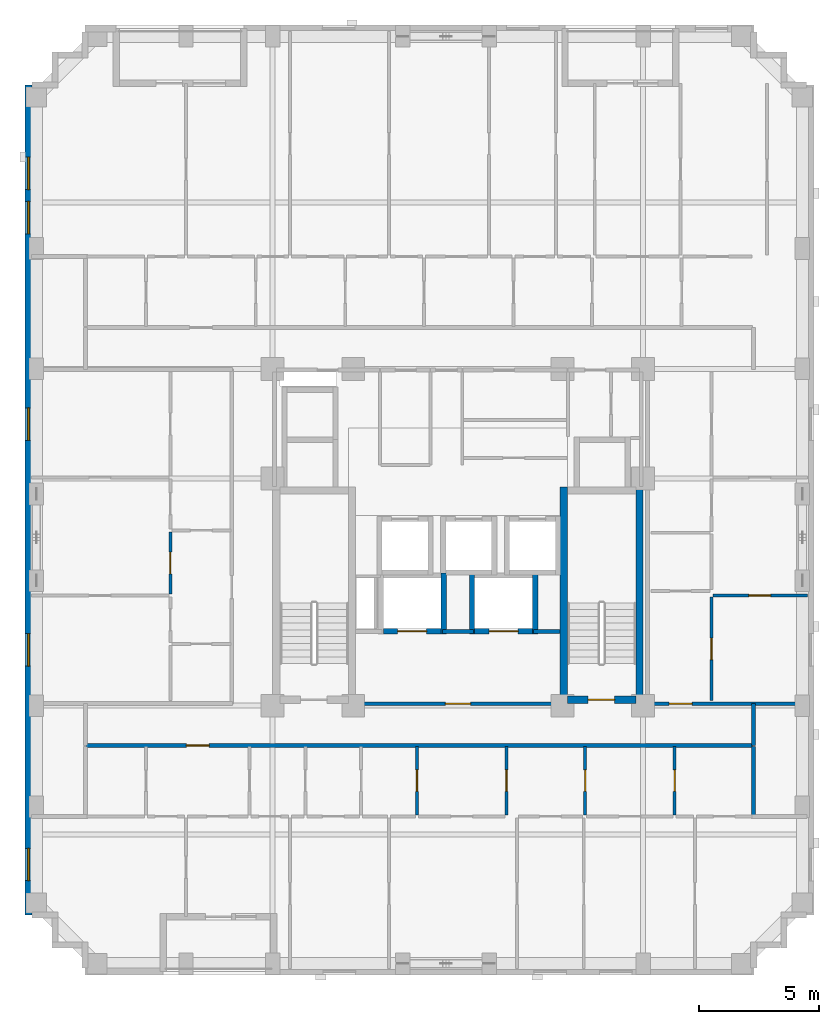
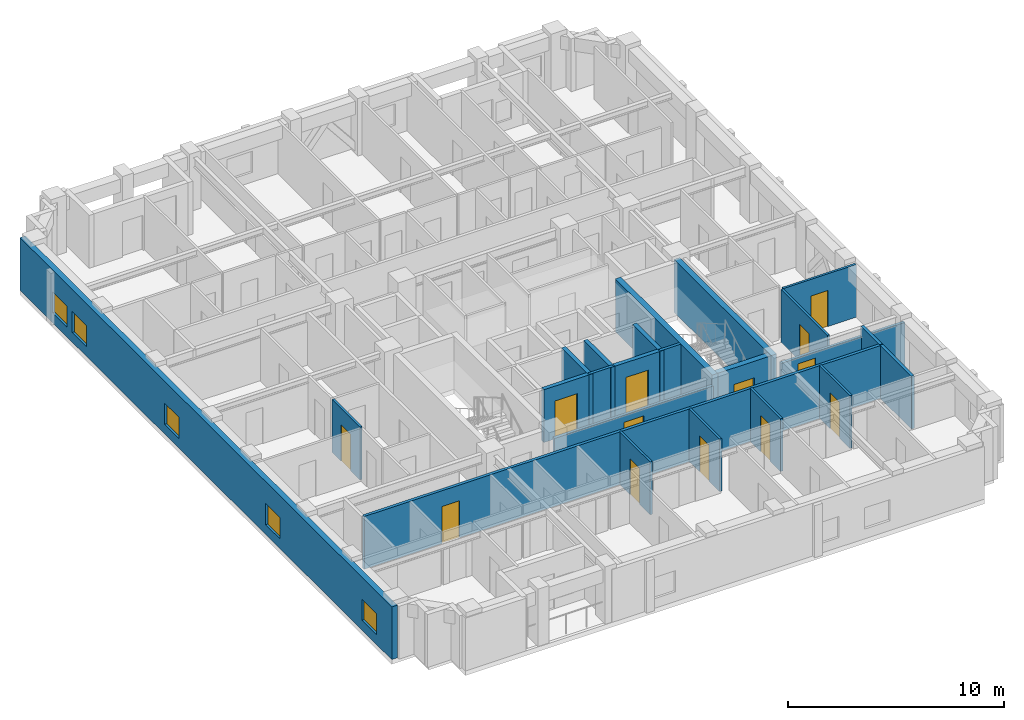
# One storey, part 4 of 11: 23 walls, 13 doors, 5 windows, 18 openings.
"""IFC4 building model written with IfcOpenShell, lengths in metres."""

from ifc_helpers import new_model, si_unit, derived_unit, direction, frame, frame_2d, origin, place, context, subcontext, project, spatial, rectangle, extrude, material, layer, layer_set, type_object, element, fill, save


model = new_model("IFC4")

# Units and contexts
model_context = context("Model", 3, precision=1e-05, world=origin(), true_north=direction((0.0, 1.0)))
body_context = subcontext(model_context, "Body", "Model", "MODEL_VIEW")
ifc_project = project(units=[si_unit("LENGTHUNIT", "METRE"), si_unit("AREAUNIT", "SQUARE_METRE"), si_unit("VOLUMEUNIT", "CUBIC_METRE"), si_unit("PLANEANGLEUNIT", "RADIAN"), si_unit("MASSUNIT", "GRAM", prefix="KILO"), derived_unit("THERMALTRANSMITTANCEUNIT", [(si_unit("MASSUNIT", "GRAM", prefix="KILO"), 1), (si_unit("TIMEUNIT", "SECOND"), -3), (si_unit("THERMODYNAMICTEMPERATUREUNIT", "KELVIN"), -1)])], contexts=[model_context])

# Site, building, storey
site_placement = place(None, origin())
site = spatial("IfcSite", under=ifc_project, at=site_placement, CompositionType="ELEMENT")
building_placement = place(site_placement, origin())
building = spatial("IfcBuilding", under=site, at=building_placement, Name="Korrvale Station Residences", CompositionType="ELEMENT")
storey_placement = place(building_placement, frame((0.0, 0.0, 153.64990234375)))
storey = spatial("IfcBuildingStorey", under=building, at=storey_placement, Name="L44", CompositionType="ELEMENT", Elevation=153.64990234375)

# Walls
ifc_material_1 = material(Name="Concrete C60/75", Category="concrete")
ifc_layer_1 = layer(ifc_material_1, 0.300048828125, Name="Concrete C60/75")
ifc_layer_set_1 = layer_set([ifc_layer_1], Name="Concrete C60/75")
wall_type_1 = type_object("IfcWallType", Name="WAL-CORE-300-C60", PredefinedType="SHEAR", material=ifc_layer_set_1)
for number, where, z_axis, x_axis, name in (
    (1, (29.89990234375, 15.10009765625, 0.0), (0.0, 0.0, 1.0), (0.0, 1.0, 0.0), "L44 ST-2 Core Shear Wall West"),
    (2, (33.050048828125, 15.10009765625, 0.0), (0.0, 0.0, 1.0), (0.0, 1.0, 0.0), "L44 ST-2 Core Shear Wall East"),
):
    element("IfcWall", number, at=place(storey_placement, frame(where, z_axis=z_axis, x_axis=x_axis)), inside=storey, type_object=wall_type_1, Name=name, PredefinedType="SHEAR", context=body_context, shape_type="SweptSolid", body=[
        extrude(rectangle(XDim=9.0, YDim=0.300048828125, at=frame_2d((4.5, 0.0))), origin(), (0.0, 0.0, 1.0), 2.989990234375),
    ])

# Wall, opening, door
wall_1_placement = place(storey_placement, frame((30.050048828125, 15.25, 0.0), z_axis=(0.0, 0.0, 1.0), x_axis=(1.0, 0.0, 0.0)))
wall_1 = element("IfcWall", 3, at=wall_1_placement, inside=storey, type_object=wall_type_1, Name="L44 ST-2 Core Shear Wall South", PredefinedType="SHEAR", context=body_context, shape_type="SweptSolid", body=[
    extrude(rectangle(XDim=2.849853515625, YDim=0.300048828125, at=frame_2d((1.4248046875, 0.0))), origin(), (0.0, 0.0, 1.0), 2.989990234375),
])
opening_1_placement = place(wall_1_placement, frame((0.860107421875, 0.0, 0.0)))
opening_1 = element("IfcOpeningElement", 4, at=opening_1_placement, cuts=wall_1, Name="Opening SD-1100", PredefinedType="OPENING", context=body_context, shape_type="SweptSolid", body=[
    extrude(rectangle(XDim=1.10009765625, YDim=2.050048828125, at=frame_2d((0.550048828125, 1.02490234375))), frame((0.0, 0.16015625, 0.0), z_axis=(0.0, -1.0, 0.0), x_axis=(1.0, 0.0, 0.0)), (0.0, 0.0, 1.0), 0.320068359375),
])
ifc_material_2 = material(Name="Hollow-metal fire-rated stair door with closer", Category="steel")
door_type_1 = type_object("IfcDoorType", Name="DR-STAIR-1100", OperationType="NOTDEFINED", PredefinedType="DOOR", material=ifc_material_2)
door_1_placement = place(opening_1_placement, origin())
door_1 = element("IfcDoor", 5, at=door_1_placement, inside=storey, type_object=door_type_1, Name="L44 ST-2 Exit Stair Door", OperationType="SINGLE_SWING_RIGHT", OverallHeight=2.050048828125, OverallWidth=1.10009765625, PredefinedType="DOOR", context=body_context, shape_type="SweptSolid", body=[
    extrude(rectangle(XDim=1.10009765625, YDim=2.050048828125, at=frame_2d((0.550048828125, 1.02490234375))), frame((0.0, 0.02490234375, 0.0), z_axis=(0.0, -1.0, 0.0), x_axis=(1.0, 0.0, 0.0)), (0.0, 0.0, 1.0), 0.050048828125),
])
fill(opening_1, door_1)

# Wall, openings, windows
ifc_material_3 = material(Name="Precast concrete C45/55", Category="concrete")
ifc_layer_2 = layer(ifc_material_3, 0.300048828125, Name="Precast concrete C45/55")
ifc_layer_set_2 = layer_set([ifc_layer_2], Name="Precast concrete C45/55")
wall_type_2 = type_object("IfcWallType", Name="WAL-EXT-PC300", PredefinedType="SOLIDWALL", material=ifc_layer_set_2)
wall_2_placement = place(storey_placement, frame((7.64990234375, 6.300048828125, 0.0), z_axis=(0.0, 0.0, 1.0), x_axis=(0.0, 1.0, 0.0)))
wall_2 = element("IfcWall", 6, at=wall_2_placement, inside=storey, type_object=wall_type_2, Name="L44 West Exterior Precast Wall 1", PredefinedType="SOLIDWALL", context=body_context, shape_type="SweptSolid", body=[
    extrude(rectangle(XDim=34.5, YDim=0.300048828125, at=frame_2d((17.25, 0.0))), origin(), (0.0, 0.0, 1.0), 2.989990234375),
])
opening_2_placement = place(wall_2_placement, frame((1.425048828125, 0.0, 0.550048828125)))
opening_2 = element("IfcOpeningElement", 7, at=opening_2_placement, cuts=wall_2, Name="Opening W-10", PredefinedType="OPENING", context=body_context, shape_type="SweptSolid", body=[
    extrude(rectangle(XDim=1.35009765625, YDim=1.199951171875, at=frame_2d((0.675048828125, 0.60009765625))), frame((0.0, 0.16015625, 0.0), z_axis=(0.0, -1.0, 0.0), x_axis=(1.0, 0.0, 0.0)), (0.0, 0.0, 1.0), 0.320068359375),
])
opening_3_placement = place(wall_2_placement, frame((30.14990234375, 0.0, 0.550048828125)))
opening_3 = element("IfcOpeningElement", 8, at=opening_3_placement, cuts=wall_2, Name="Opening W-10", PredefinedType="OPENING", context=body_context, shape_type="SweptSolid", body=[
    extrude(rectangle(XDim=1.35009765625, YDim=1.199951171875, at=frame_2d((0.675048828125, 0.60009765625))), frame((0.0, 0.16015625, 0.0), z_axis=(0.0, -1.0, 0.0), x_axis=(1.0, 0.0, 0.0)), (0.0, 0.0, 1.0), 0.320068359375),
])
opening_4_placement = place(wall_2_placement, frame((28.31005859375, 0.0, 0.550048828125)))
opening_4 = element("IfcOpeningElement", 9, at=opening_4_placement, cuts=wall_2, Name="Opening W-10", PredefinedType="OPENING", context=body_context, shape_type="SweptSolid", body=[
    extrude(rectangle(XDim=1.35009765625, YDim=1.199951171875, at=frame_2d((0.675048828125, 0.60009765625))), frame((0.0, 0.16015625, 0.0), z_axis=(0.0, -1.0, 0.0), x_axis=(1.0, 0.0, 0.0)), (0.0, 0.0, 1.0), 0.320068359375),
])
opening_5_placement = place(wall_2_placement, frame((10.35009765625, 0.0, 0.550048828125)))
opening_5 = element("IfcOpeningElement", 10, at=opening_5_placement, cuts=wall_2, Name="Opening W-10", PredefinedType="OPENING", context=body_context, shape_type="SweptSolid", body=[
    extrude(rectangle(XDim=1.35009765625, YDim=1.199951171875, at=frame_2d((0.675048828125, 0.60009765625))), frame((0.0, 0.16015625, 0.0), z_axis=(0.0, -1.0, 0.0), x_axis=(1.0, 0.0, 0.0)), (0.0, 0.0, 1.0), 0.320068359375),
])
opening_6_placement = place(wall_2_placement, frame((19.72509765625, 0.0, 0.550048828125)))
opening_6 = element("IfcOpeningElement", 11, at=opening_6_placement, cuts=wall_2, Name="Opening W-10", PredefinedType="OPENING", context=body_context, shape_type="SweptSolid", body=[
    extrude(rectangle(XDim=1.35009765625, YDim=1.199951171875, at=frame_2d((0.675048828125, 0.60009765625))), frame((0.0, 0.16015625, 0.0), z_axis=(0.0, -1.0, 0.0), x_axis=(1.0, 0.0, 0.0)), (0.0, 0.0, 1.0), 0.320068359375),
])
ifc_material_4 = material(Name="Thermally broken aluminium frame with triple low-e glazing", Category="aluminium")
window_type = type_object("IfcWindowType", Name="WIN-W10", PartitioningType="SINGLE_PANEL", PredefinedType="WINDOW", material=ifc_material_4)
window_1_placement = place(opening_2_placement, origin())
window_1 = element("IfcWindow", 12, at=window_1_placement, inside=storey, type_object=window_type, Name="L44 Punched Window 01", OverallHeight=1.199951171875, OverallWidth=1.35009765625, PartitioningType="SINGLE_PANEL", PredefinedType="WINDOW", context=body_context, shape_type="SweptSolid", body=[
    extrude(rectangle(XDim=1.35009765625, YDim=1.199951171875, at=frame_2d((0.675048828125, 0.60009765625))), frame((0.0, 0.030029296875, 0.0), z_axis=(0.0, -1.0, 0.0), x_axis=(1.0, 0.0, 0.0)), (0.0, 0.0, 1.0), 0.06005859375),
])
fill(opening_2, window_1)
window_2_placement = place(opening_3_placement, origin())
window_2 = element("IfcWindow", 13, at=window_2_placement, inside=storey, type_object=window_type, Name="L44 Punched Window 07", OverallHeight=1.199951171875, OverallWidth=1.35009765625, PartitioningType="SINGLE_PANEL", PredefinedType="WINDOW", context=body_context, shape_type="SweptSolid", body=[
    extrude(rectangle(XDim=1.35009765625, YDim=1.199951171875, at=frame_2d((0.675048828125, 0.60009765625))), frame((0.0, 0.030029296875, 0.0), z_axis=(0.0, -1.0, 0.0), x_axis=(1.0, 0.0, 0.0)), (0.0, 0.0, 1.0), 0.06005859375),
])
fill(opening_3, window_2)
window_3_placement = place(opening_4_placement, origin())
window_3 = element("IfcWindow", 14, at=window_3_placement, inside=storey, type_object=window_type, Name="L44 Punched Window 08", OverallHeight=1.199951171875, OverallWidth=1.35009765625, PartitioningType="SINGLE_PANEL", PredefinedType="WINDOW", context=body_context, shape_type="SweptSolid", body=[
    extrude(rectangle(XDim=1.35009765625, YDim=1.199951171875, at=frame_2d((0.675048828125, 0.60009765625))), frame((0.0, 0.030029296875, 0.0), z_axis=(0.0, -1.0, 0.0), x_axis=(1.0, 0.0, 0.0)), (0.0, 0.0, 1.0), 0.06005859375),
])
fill(opening_4, window_3)
window_4_placement = place(opening_5_placement, origin())
window_4 = element("IfcWindow", 15, at=window_4_placement, inside=storey, type_object=window_type, Name="L44 Punched Window 14", OverallHeight=1.199951171875, OverallWidth=1.35009765625, PartitioningType="SINGLE_PANEL", PredefinedType="WINDOW", context=body_context, shape_type="SweptSolid", body=[
    extrude(rectangle(XDim=1.35009765625, YDim=1.199951171875, at=frame_2d((0.675048828125, 0.60009765625))), frame((0.0, 0.030029296875, 0.0), z_axis=(0.0, -1.0, 0.0), x_axis=(1.0, 0.0, 0.0)), (0.0, 0.0, 1.0), 0.06005859375),
])
fill(opening_5, window_4)
window_5_placement = place(opening_6_placement, origin())
window_5 = element("IfcWindow", 16, at=window_5_placement, inside=storey, type_object=window_type, Name="L44 Punched Window 15", OverallHeight=1.199951171875, OverallWidth=1.35009765625, PartitioningType="SINGLE_PANEL", PredefinedType="WINDOW", context=body_context, shape_type="SweptSolid", body=[
    extrude(rectangle(XDim=1.35009765625, YDim=1.199951171875, at=frame_2d((0.675048828125, 0.60009765625))), frame((0.0, 0.030029296875, 0.0), z_axis=(0.0, -1.0, 0.0), x_axis=(1.0, 0.0, 0.0)), (0.0, 0.0, 1.0), 0.06005859375),
])
fill(opening_6, window_5)

# Wall, opening, door
ifc_material_5 = material(Name="Acoustic steel-stud gypsum board partition", Category="steel")
ifc_layer_3 = layer(ifc_material_5, 0.1201171875, Name="Acoustic steel-stud gypsum board partition")
ifc_layer_set_3 = layer_set([ifc_layer_3], Name="Acoustic steel-stud gypsum board partition")
wall_type_3 = type_object("IfcWallType", Name="WAL-PART-125", PredefinedType="PARTITIONING", material=ifc_layer_set_3)
wall_3_placement = place(storey_placement, frame((23.800048828125, 10.4599609375, 0.0), z_axis=(0.0, 0.0, 1.0), x_axis=(0.0, 1.0, 0.0)))
wall_3 = element("IfcWall", 17, at=wall_3_placement, inside=storey, type_object=wall_type_3, Name="L44 Suite Partition U01-V45", PredefinedType="PARTITIONING", context=body_context, shape_type="SweptSolid", body=[
    extrude(rectangle(XDim=2.85009765625, YDim=0.1201171875, at=frame_2d((1.425048828125, 0.0))), origin(), (0.0, 0.0, 1.0), 2.989990234375),
])
opening_7_placement = place(wall_3_placement, frame((0.97509765625, 0.0, 0.0)))
opening_7 = element("IfcOpeningElement", 18, at=opening_7_placement, cuts=wall_3, Name="Opening DI-900", PredefinedType="OPENING", context=body_context, shape_type="SweptSolid", body=[
    extrude(rectangle(XDim=0.89990234375, YDim=2.050048828125, at=frame_2d((0.449951171875, 1.02490234375))), frame((0.0, 0.070068359375, 0.0), z_axis=(0.0, -1.0, 0.0), x_axis=(1.0, 0.0, 0.0)), (0.0, 0.0, 1.0), 0.14013671875),
])
ifc_material_6 = material(Name="Painted solid-core timber interior room door", Category="wood")
door_type_2 = type_object("IfcDoorType", Name="DR-INT-900", OperationType="NOTDEFINED", PredefinedType="DOOR", material=ifc_material_6)
door_2_placement = place(opening_7_placement, origin())
door_2 = element("IfcDoor", 19, at=door_2_placement, inside=storey, type_object=door_type_2, Name="L44 Apartment 2BR L44-U01 Wardrobe Storage Room Door", OperationType="SINGLE_SWING_LEFT", OverallHeight=2.050048828125, OverallWidth=0.89990234375, PredefinedType="DOOR", context=body_context, shape_type="SweptSolid", body=[
    extrude(rectangle(XDim=0.89990234375, YDim=2.050048828125, at=frame_2d((0.449951171875, 1.02490234375))), frame((0.0, 0.02490234375, 0.0), z_axis=(0.0, -1.0, 0.0), x_axis=(1.0, 0.0, 0.0)), (0.0, 0.0, 1.0), 0.050048828125),
])
fill(opening_7, door_2)

wall_4_placement = place(storey_placement, frame((27.52001953125, 10.4599609375, 0.0), z_axis=(0.0, 0.0, 1.0), x_axis=(0.0, 1.0, 0.0)))
wall_4 = element("IfcWall", 20, at=wall_4_placement, inside=storey, type_object=wall_type_3, Name="L44 Suite Partition U01-V56", PredefinedType="PARTITIONING", context=body_context, shape_type="SweptSolid", body=[
    extrude(rectangle(XDim=2.85009765625, YDim=0.1201171875, at=frame_2d((1.425048828125, 0.0))), origin(), (0.0, 0.0, 1.0), 2.989990234375),
])
opening_8_placement = place(wall_4_placement, frame((0.97509765625, 0.0, 0.0)))
opening_8 = element("IfcOpeningElement", 21, at=opening_8_placement, cuts=wall_4, Name="Opening DI-900", PredefinedType="OPENING", context=body_context, shape_type="SweptSolid", body=[
    extrude(rectangle(XDim=0.89990234375, YDim=2.050048828125, at=frame_2d((0.449951171875, 1.02490234375))), frame((0.0, 0.070068359375, 0.0), z_axis=(0.0, -1.0, 0.0), x_axis=(1.0, 0.0, 0.0)), (0.0, 0.0, 1.0), 0.14013671875),
])
door_3_placement = place(opening_8_placement, origin())
door_3 = element("IfcDoor", 22, at=door_3_placement, inside=storey, type_object=door_type_2, Name="L44 Apartment 2BR L44-U01 Utility and Laundry Room Door", OperationType="SINGLE_SWING_RIGHT", OverallHeight=2.050048828125, OverallWidth=0.89990234375, PredefinedType="DOOR", context=body_context, shape_type="SweptSolid", body=[
    extrude(rectangle(XDim=0.89990234375, YDim=2.050048828125, at=frame_2d((0.449951171875, 1.02490234375))), frame((0.0, 0.02490234375, 0.0), z_axis=(0.0, -1.0, 0.0), x_axis=(1.0, 0.0, 0.0)), (0.0, 0.0, 1.0), 0.050048828125),
])
fill(opening_8, door_3)

wall_5_placement = place(storey_placement, frame((30.7900390625, 10.4599609375, 0.0), z_axis=(0.0, 0.0, 1.0), x_axis=(0.0, 1.0, 0.0)))
wall_5 = element("IfcWall", 23, at=wall_5_placement, inside=storey, type_object=wall_type_3, Name="L44 Suite Partition U01-V67", PredefinedType="PARTITIONING", context=body_context, shape_type="SweptSolid", body=[
    extrude(rectangle(XDim=2.85009765625, YDim=0.1201171875, at=frame_2d((1.425048828125, 0.0))), origin(), (0.0, 0.0, 1.0), 2.989990234375),
])
opening_9_placement = place(wall_5_placement, frame((0.97509765625, 0.0, 0.0)))
opening_9 = element("IfcOpeningElement", 24, at=opening_9_placement, cuts=wall_5, Name="Opening DI-900", PredefinedType="OPENING", context=body_context, shape_type="SweptSolid", body=[
    extrude(rectangle(XDim=0.89990234375, YDim=2.050048828125, at=frame_2d((0.449951171875, 1.02490234375))), frame((0.0, 0.070068359375, 0.0), z_axis=(0.0, -1.0, 0.0), x_axis=(1.0, 0.0, 0.0)), (0.0, 0.0, 1.0), 0.14013671875),
])
door_4_placement = place(opening_9_placement, origin())
door_4 = element("IfcDoor", 25, at=door_4_placement, inside=storey, type_object=door_type_2, Name="L44 Apartment 2BR L44-U01 Storage Closet 2 Door", OperationType="SINGLE_SWING_RIGHT", OverallHeight=2.050048828125, OverallWidth=0.89990234375, PredefinedType="DOOR", context=body_context, shape_type="SweptSolid", body=[
    extrude(rectangle(XDim=0.89990234375, YDim=2.050048828125, at=frame_2d((0.449951171875, 1.02490234375))), frame((0.0, 0.02490234375, 0.0), z_axis=(0.0, -1.0, 0.0), x_axis=(1.0, 0.0, 0.0)), (0.0, 0.0, 1.0), 0.050048828125),
])
fill(opening_9, door_4)

wall_6_placement = place(storey_placement, frame((34.510009765625, 10.4599609375, 0.0), z_axis=(0.0, 0.0, 1.0), x_axis=(0.0, 1.0, 0.0)))
wall_6 = element("IfcWall", 26, at=wall_6_placement, inside=storey, type_object=wall_type_3, Name="L44 Suite Partition U01-V78", PredefinedType="PARTITIONING", context=body_context, shape_type="SweptSolid", body=[
    extrude(rectangle(XDim=2.85009765625, YDim=0.1201171875, at=frame_2d((1.425048828125, 0.0))), origin(), (0.0, 0.0, 1.0), 2.989990234375),
])
opening_10_placement = place(wall_6_placement, frame((0.97509765625, 0.0, 0.0)))
opening_10 = element("IfcOpeningElement", 27, at=opening_10_placement, cuts=wall_6, Name="Opening DI-900", PredefinedType="OPENING", context=body_context, shape_type="SweptSolid", body=[
    extrude(rectangle(XDim=0.89990234375, YDim=2.050048828125, at=frame_2d((0.449951171875, 1.02490234375))), frame((0.0, 0.070068359375, 0.0), z_axis=(0.0, -1.0, 0.0), x_axis=(1.0, 0.0, 0.0)), (0.0, 0.0, 1.0), 0.14013671875),
])
door_5_placement = place(opening_10_placement, origin())
door_5 = element("IfcDoor", 28, at=door_5_placement, inside=storey, type_object=door_type_2, Name="L44 Apartment 2BR L44-U01 Storage Closet 3 Door", OperationType="SINGLE_SWING_RIGHT", OverallHeight=2.050048828125, OverallWidth=0.89990234375, PredefinedType="DOOR", context=body_context, shape_type="SweptSolid", body=[
    extrude(rectangle(XDim=0.89990234375, YDim=2.050048828125, at=frame_2d((0.449951171875, 1.02490234375))), frame((0.0, 0.02490234375, 0.0), z_axis=(0.0, -1.0, 0.0), x_axis=(1.0, 0.0, 0.0)), (0.0, 0.0, 1.0), 0.050048828125),
])
fill(opening_10, door_5)

wall_7_placement = place(storey_placement, frame((13.550048828125, 19.637939453125, 0.0), z_axis=(0.0, 0.0, 1.0), x_axis=(0.0, 1.0, 0.0)))
wall_7 = element("IfcWall", 29, at=wall_7_placement, inside=storey, type_object=wall_type_3, Name="L44 Suite Partition U03-V24", PredefinedType="PARTITIONING", context=body_context, shape_type="SweptSolid", body=[
    extrude(rectangle(XDim=2.592041015625, YDim=0.1201171875, at=frame_2d((1.2958984375, 0.0))), origin(), (0.0, 0.0, 1.0), 2.989990234375),
])
opening_11_placement = place(wall_7_placement, frame((0.845947265625, 0.0, 0.0)))
opening_11 = element("IfcOpeningElement", 30, at=opening_11_placement, cuts=wall_7, Name="Opening DI-900", PredefinedType="OPENING", context=body_context, shape_type="SweptSolid", body=[
    extrude(rectangle(XDim=0.89990234375, YDim=2.050048828125, at=frame_2d((0.449951171875, 1.02490234375))), frame((0.0, 0.070068359375, 0.0), z_axis=(0.0, -1.0, 0.0), x_axis=(1.0, 0.0, 0.0)), (0.0, 0.0, 1.0), 0.14013671875),
])
door_6_placement = place(opening_11_placement, origin())
door_6 = element("IfcDoor", 31, at=door_6_placement, inside=storey, type_object=door_type_2, Name="L44 Apartment 2BR L44-U03 Kitchen Door", OperationType="SINGLE_SWING_RIGHT", OverallHeight=2.050048828125, OverallWidth=0.89990234375, PredefinedType="DOOR", context=body_context, shape_type="SweptSolid", body=[
    extrude(rectangle(XDim=0.89990234375, YDim=2.050048828125, at=frame_2d((0.449951171875, 1.02490234375))), frame((0.0, 0.02490234375, 0.0), z_axis=(0.0, -1.0, 0.0), x_axis=(1.0, 0.0, 0.0)), (0.0, 0.0, 1.0), 0.050048828125),
])
fill(opening_11, door_6)

wall_8_placement = place(storey_placement, frame((36.0400390625, 15.2099609375, 0.0), z_axis=(0.0, 0.0, 1.0), x_axis=(0.0, 1.0, 0.0)))
wall_8 = element("IfcWall", 32, at=wall_8_placement, inside=storey, type_object=wall_type_3, Name="L44 Suite Partition U04-V23", PredefinedType="PARTITIONING", context=body_context, shape_type="SweptSolid", body=[
    extrude(rectangle(XDim=4.30810546875, YDim=0.1201171875, at=frame_2d((2.154052734375, 0.0))), origin(), (0.0, 0.0, 1.0), 2.989990234375),
])
opening_12_placement = place(wall_8_placement, frame((1.7041015625, 0.0, 0.0)))
opening_12 = element("IfcOpeningElement", 33, at=opening_12_placement, cuts=wall_8, Name="Opening DI-900", PredefinedType="OPENING", context=body_context, shape_type="SweptSolid", body=[
    extrude(rectangle(XDim=0.89990234375, YDim=2.050048828125, at=frame_2d((0.449951171875, 1.02490234375))), frame((0.0, 0.070068359375, 0.0), z_axis=(0.0, -1.0, 0.0), x_axis=(1.0, 0.0, 0.0)), (0.0, 0.0, 1.0), 0.14013671875),
])
door_7_placement = place(opening_12_placement, origin())
door_7 = element("IfcDoor", 34, at=door_7_placement, inside=storey, type_object=door_type_2, Name="L44 Apartment 2BR L44-U04 Kitchen Door", OperationType="SINGLE_SWING_LEFT", OverallHeight=2.050048828125, OverallWidth=0.89990234375, PredefinedType="DOOR", context=body_context, shape_type="SweptSolid", body=[
    extrude(rectangle(XDim=0.89990234375, YDim=2.050048828125, at=frame_2d((0.449951171875, 1.02490234375))), frame((0.0, 0.02490234375, 0.0), z_axis=(0.0, -1.0, 0.0), x_axis=(1.0, 0.0, 0.0)), (0.0, 0.0, 1.0), 0.050048828125),
])
fill(opening_12, door_7)

wall_9_placement = place(storey_placement, frame((36.10009765625, 19.577880859375, 0.0), z_axis=(0.0, 0.0, 1.0), x_axis=(1.0, 0.0, 0.0)))
wall_9 = element("IfcWall", 35, at=wall_9_placement, inside=storey, type_object=wall_type_3, Name="L44 Suite Partition U04-H34", PredefinedType="PARTITIONING", context=body_context, shape_type="SweptSolid", body=[
    extrude(rectangle(XDim=3.919921875, YDim=0.1201171875, at=frame_2d((1.9599609375, 0.0))), origin(), (0.0, 0.0, 1.0), 2.989990234375),
])
opening_13_placement = place(wall_9_placement, frame((1.4951171875, 0.0, 0.0)))
opening_13 = element("IfcOpeningElement", 36, at=opening_13_placement, cuts=wall_9, Name="Opening DI-900", PredefinedType="OPENING", context=body_context, shape_type="SweptSolid", body=[
    extrude(rectangle(XDim=0.89990234375, YDim=2.050048828125, at=frame_2d((0.449951171875, 1.02490234375))), frame((0.0, 0.070068359375, 0.0), z_axis=(0.0, -1.0, 0.0), x_axis=(1.0, 0.0, 0.0)), (0.0, 0.0, 1.0), 0.14013671875),
])
door_8_placement = place(opening_13_placement, origin())
door_8 = element("IfcDoor", 37, at=door_8_placement, inside=storey, type_object=door_type_2, Name="L44 Apartment 2BR L44-U04 Bedroom 1 Door", OperationType="SINGLE_SWING_RIGHT", OverallHeight=2.050048828125, OverallWidth=0.89990234375, PredefinedType="DOOR", context=body_context, shape_type="SweptSolid", body=[
    extrude(rectangle(XDim=0.89990234375, YDim=2.050048828125, at=frame_2d((0.449951171875, 1.02490234375))), frame((0.0, 0.02490234375, 0.0), z_axis=(0.0, -1.0, 0.0), x_axis=(1.0, 0.0, 0.0)), (0.0, 0.0, 1.0), 0.050048828125),
])
fill(opening_13, door_8)

ifc_material_7 = material(Name="Fire-rated twin-stud gypsum and mineral wool shaftwall assembly", Category="gypsum")
ifc_layer_4 = layer(ifc_material_7, 0.159912109375, Name="Fire-rated twin-stud gypsum and mineral wool shaftwall assembly")
ifc_layer_set_4 = layer_set([ifc_layer_4], Name="Fire-rated twin-stud gypsum and mineral wool shaftwall assembly")
wall_type_4 = type_object("IfcWallType", Name="WAL-PART-200", PredefinedType="PARTITIONING", material=ifc_layer_set_4)
wall_10_placement = place(storey_placement, frame((21.25, 15.080078125, 0.0), z_axis=(0.0, 0.0, 1.0), x_axis=(1.0, 0.0, 0.0)))
wall_10 = element("IfcWall", 38, at=wall_10_placement, inside=storey, type_object=wall_type_4, Name="L44 Core Partition CW-FFL-S", PredefinedType="PARTITIONING", context=body_context, shape_type="SweptSolid", body=[
    extrude(rectangle(XDim=8.5, YDim=0.159912109375, at=frame_2d((4.25, 0.0))), origin(), (0.0, 0.0, 1.0), 2.442138671875),
])
opening_14_placement = place(wall_10_placement, frame((3.72509765625, 0.0, 0.0)))
opening_14 = element("IfcOpeningElement", 39, at=opening_14_placement, cuts=wall_10, Name="Opening FD-1050", PredefinedType="OPENING", context=body_context, shape_type="SweptSolid", body=[
    extrude(rectangle(XDim=1.050048828125, YDim=2.050048828125, at=frame_2d((0.52490234375, 1.02490234375))), frame((0.0, 0.08984375, 0.0), z_axis=(0.0, -1.0, 0.0), x_axis=(1.0, 0.0, 0.0)), (0.0, 0.0, 1.0), 0.179931640625),
])
ifc_material_8 = material(Name="Fire-rated mineral-core timber lobby door", Category="wood")
door_type_3 = type_object("IfcDoorType", Name="DR-CORE-1050", OperationType="NOTDEFINED", PredefinedType="DOOR", material=ifc_material_8)
door_9_placement = place(opening_14_placement, origin())
door_9 = element("IfcDoor", 40, at=door_9_placement, inside=storey, type_object=door_type_3, Name="L44 Firefighting Lobby Entry Door", OperationType="SINGLE_SWING_LEFT", OverallHeight=2.050048828125, OverallWidth=1.050048828125, PredefinedType="DOOR", context=body_context, shape_type="SweptSolid", body=[
    extrude(rectangle(XDim=1.050048828125, YDim=2.050048828125, at=frame_2d((0.52490234375, 1.02490234375))), frame((0.0, 0.02490234375, 0.0), z_axis=(0.0, -1.0, 0.0), x_axis=(1.0, 0.0, 0.0)), (0.0, 0.0, 1.0), 0.050048828125),
])
fill(opening_14, door_9)

# Walls
wall_11_placement = place(storey_placement, frame((24.85009765625, 18.080078125, 0.0), z_axis=(0.0, 0.0, 1.0), x_axis=(1.0, 0.0, 0.0)))
element("IfcWall", 41, at=wall_11_placement, inside=storey, type_object=wall_type_4, Name="L44 Core Partition CW-FFL-N2", PredefinedType="PARTITIONING", context=body_context, shape_type="SweptSolid", body=[
    extrude(rectangle(XDim=1.2998046875, YDim=0.159912109375, at=frame_2d((0.64990234375, 0.0))), origin(), (0.0, 0.0, 1.0), 2.989990234375),
])
wall_12_placement = place(storey_placement, frame((28.64990234375, 18.080078125, 0.0), z_axis=(0.0, 0.0, 1.0), x_axis=(1.0, 0.0, 0.0)))
element("IfcWall", 42, at=wall_12_placement, inside=storey, type_object=wall_type_4, Name="L44 Core Partition CW-FFL-N3", PredefinedType="PARTITIONING", context=body_context, shape_type="SweptSolid", body=[
    extrude(rectangle(XDim=1.10009765625, YDim=0.159912109375, at=frame_2d((0.550048828125, 0.0))), origin(), (0.0, 0.0, 1.0), 2.989990234375),
])
wall_13_placement = place(storey_placement, frame((37.780029296875, 13.35009765625, 0.0), z_axis=(0.0, 0.0, 1.0), x_axis=(0.0, 1.0, 0.0)))
element("IfcWall", 43, at=wall_13_placement, inside=storey, type_object=wall_type_4, Name="L44 Corridor South East Cap", PredefinedType="PARTITIONING", context=body_context, shape_type="SweptSolid", body=[
    extrude(rectangle(XDim=1.739990234375, YDim=0.159912109375, at=frame_2d((0.8701171875, 0.0))), origin(), (0.0, 0.0, 1.0), 2.989990234375),
])
wall_14_placement = place(storey_placement, frame((37.780029296875, 10.39990234375, 0.0), z_axis=(0.0, 0.0, 1.0), x_axis=(0.0, 1.0, 0.0)))
element("IfcWall", 44, at=wall_14_placement, inside=storey, type_object=wall_type_4, Name="L44 Corner Step Cheek U01-R", PredefinedType="PARTITIONING", context=body_context, shape_type="SweptSolid", body=[
    extrude(rectangle(XDim=2.91015625, YDim=0.159912109375, at=frame_2d((1.455078125, 0.0))), origin(), (0.0, 0.0, 1.0), 2.989990234375),
])

# Wall, opening, door
wall_15_placement = place(storey_placement, frame((33.3798828125, 15.080078125, 0.0), z_axis=(0.0, 0.0, 1.0), x_axis=(1.0, 0.0, 0.0)))
wall_15 = element("IfcWall", 45, at=wall_15_placement, inside=storey, type_object=wall_type_4, Name="L44 Side Suite South Entry Wall U04", PredefinedType="PARTITIONING", context=body_context, shape_type="SweptSolid", body=[
    extrude(rectangle(XDim=6.64013671875, YDim=0.159912109375, at=frame_2d((3.320068359375, 0.0))), origin(), (0.0, 0.0, 1.0), 2.442138671875),
])
opening_15_placement = place(wall_15_placement, frame((0.89990234375, 0.0, 0.0)))
opening_15 = element("IfcOpeningElement", 46, at=opening_15_placement, cuts=wall_15, Name="Opening UD-950", PredefinedType="OPENING", context=body_context, shape_type="SweptSolid", body=[
    extrude(rectangle(XDim=0.949951171875, YDim=2.10009765625, at=frame_2d((0.47509765625, 1.050048828125))), frame((0.0, 0.08984375, 0.0), z_axis=(0.0, -1.0, 0.0), x_axis=(1.0, 0.0, 0.0)), (0.0, 0.0, 1.0), 0.179931640625),
])
ifc_material_9 = material(Name="Solid-core acoustic oak apartment entrance door", Category="timber")
door_type_4 = type_object("IfcDoorType", Name="DR-UNIT-950", OperationType="NOTDEFINED", PredefinedType="DOOR", material=ifc_material_9)
door_10_placement = place(opening_15_placement, origin())
door_10 = element("IfcDoor", 47, at=door_10_placement, inside=storey, type_object=door_type_4, Name="L44 Apartment L44-U04 Entrance Door", OperationType="SINGLE_SWING_LEFT", OverallHeight=2.10009765625, OverallWidth=0.949951171875, PredefinedType="DOOR", context=body_context, shape_type="SweptSolid", body=[
    extrude(rectangle(XDim=0.949951171875, YDim=2.10009765625, at=frame_2d((0.47509765625, 1.050048828125))), frame((0.0, 0.02490234375, 0.0), z_axis=(0.0, -1.0, 0.0), x_axis=(1.0, 0.0, 0.0)), (0.0, 0.0, 1.0), 0.050048828125),
])
fill(opening_15, door_10)

wall_16_placement = place(storey_placement, frame((10.050048828125, 13.35009765625, 0.0), z_axis=(0.0, 0.0, 1.0), x_axis=(1.0, 0.0, 0.0)))
wall_16 = element("IfcWall", 48, at=wall_16_placement, inside=storey, type_object=wall_type_4, Name="L44 Rated Corridor Wall S", PredefinedType="PARTITIONING", context=body_context, shape_type="SweptSolid", body=[
    extrude(rectangle(XDim=27.699951171875, YDim=0.159912109375, at=frame_2d((13.85009765625, 0.0))), origin(), (0.0, 0.0, 1.0), 2.989990234375),
])
opening_16_placement = place(wall_16_placement, frame((4.1650390625, 0.0, 0.0)))
opening_16 = element("IfcOpeningElement", 49, at=opening_16_placement, cuts=wall_16, Name="Opening UD-950", PredefinedType="OPENING", context=body_context, shape_type="SweptSolid", body=[
    extrude(rectangle(XDim=0.949951171875, YDim=2.10009765625, at=frame_2d((0.47509765625, 1.050048828125))), frame((0.0, 0.08984375, 0.0), z_axis=(0.0, -1.0, 0.0), x_axis=(1.0, 0.0, 0.0)), (0.0, 0.0, 1.0), 0.179931640625),
])
door_11_placement = place(opening_16_placement, origin())
door_11 = element("IfcDoor", 50, at=door_11_placement, inside=storey, type_object=door_type_4, Name="L44 Apartment L44-U01 Entrance Door", OperationType="SINGLE_SWING_RIGHT", OverallHeight=2.10009765625, OverallWidth=0.949951171875, PredefinedType="DOOR", context=body_context, shape_type="SweptSolid", body=[
    extrude(rectangle(XDim=0.949951171875, YDim=2.10009765625, at=frame_2d((0.47509765625, 1.050048828125))), frame((0.0, 0.02490234375, 0.0), z_axis=(0.0, -1.0, 0.0), x_axis=(1.0, 0.0, 0.0)), (0.0, 0.0, 1.0), 0.050048828125),
])
fill(opening_16, door_11)

ifc_layer_5 = layer(ifc_material_1, 0.219970703125, Name="Concrete C60/75")
ifc_layer_set_5 = layer_set([ifc_layer_5], Name="Concrete C60/75")
wall_type_5 = type_object("IfcWallType", Name="WAL-SHAFT-220-C60", PredefinedType="SHEAR", material=ifc_layer_set_5)
wall_17_placement = place(storey_placement, frame((22.39990234375, 18.090087890625, 0.0), z_axis=(0.0, 0.0, 1.0), x_axis=(1.0, 0.0, 0.0)))
wall_17 = element("IfcWall", 51, at=wall_17_placement, inside=storey, type_object=wall_type_5, Name="L44 Elevator FFL-1 Hoistway Wall South", PredefinedType="SHEAR", context=body_context, shape_type="SweptSolid", body=[
    extrude(rectangle(XDim=2.400146484375, YDim=0.219970703125, at=frame_2d((1.2001953125, 0.0))), origin(), (0.0, 0.0, 1.0), 2.989990234375),
])
opening_17_placement = place(wall_17_placement, frame((0.60009765625, 0.0, 0.0)))
opening_17 = element("IfcOpeningElement", 52, at=opening_17_placement, cuts=wall_17, Name="Opening LD-FF1200", PredefinedType="OPENING", context=body_context, shape_type="SweptSolid", body=[
    extrude(rectangle(XDim=1.199951171875, YDim=2.14990234375, at=frame_2d((0.60009765625, 1.074951171875))), frame((0.0, 0.1201171875, 0.0), z_axis=(0.0, -1.0, 0.0), x_axis=(1.0, 0.0, 0.0)), (0.0, 0.0, 1.0), 0.239990234375),
])
ifc_material_10 = material(Name="Stainless-steel firefighter elevator landing sliding door", Category="steel")
door_type_5 = type_object("IfcDoorType", Name="DR-LIFT-FF1200", OperationType="SLIDING_TO_LEFT", PredefinedType="DOOR", material=ifc_material_10)
door_12_placement = place(opening_17_placement, origin())
door_12 = element("IfcDoor", 53, at=door_12_placement, inside=storey, type_object=door_type_5, Name="L44 Elevator FFL-1 Sliding Landing Door", OperationType="SLIDING_TO_LEFT", OverallHeight=2.14990234375, OverallWidth=1.199951171875, PredefinedType="DOOR", context=body_context, shape_type="SweptSolid", body=[
    extrude(rectangle(XDim=1.199951171875, YDim=2.14990234375, at=frame_2d((0.60009765625, 1.074951171875))), frame((0.0, 0.02490234375, 0.0), z_axis=(0.0, -1.0, 0.0), x_axis=(1.0, 0.0, 0.0)), (0.0, 0.0, 1.0), 0.050048828125),
])
fill(opening_17, door_12)

# Wall
wall_18_placement = place(storey_placement, frame((24.909912109375, 17.97998046875, 0.0), z_axis=(0.0, 0.0, 1.0), x_axis=(0.0, 1.0, 0.0)))
element("IfcWall", 54, at=wall_18_placement, inside=storey, type_object=wall_type_5, Name="L44 Elevator FFL-1 Hoistway Wall East", PredefinedType="SHEAR", context=body_context, shape_type="SweptSolid", body=[
    extrude(rectangle(XDim=2.5400390625, YDim=0.219970703125, at=frame_2d((1.27001953125, 0.0))), origin(), (0.0, 0.0, 1.0), 2.989990234375),
])

# Wall, opening, door
wall_19_placement = place(storey_placement, frame((26.199951171875, 18.090087890625, 0.0), z_axis=(0.0, 0.0, 1.0), x_axis=(1.0, 0.0, 0.0)))
wall_19 = element("IfcWall", 55, at=wall_19_placement, inside=storey, type_object=wall_type_5, Name="L44 Elevator FFL-2 Hoistway Wall South", PredefinedType="SHEAR", context=body_context, shape_type="SweptSolid", body=[
    extrude(rectangle(XDim=2.400146484375, YDim=0.219970703125, at=frame_2d((1.2001953125, 0.0))), origin(), (0.0, 0.0, 1.0), 2.989990234375),
])
opening_18_placement = place(wall_19_placement, frame((0.60009765625, 0.0, 0.0)))
opening_18 = element("IfcOpeningElement", 56, at=opening_18_placement, cuts=wall_19, Name="Opening LD-FF1200", PredefinedType="OPENING", context=body_context, shape_type="SweptSolid", body=[
    extrude(rectangle(XDim=1.199951171875, YDim=2.14990234375, at=frame_2d((0.60009765625, 1.074951171875))), frame((0.0, 0.1201171875, 0.0), z_axis=(0.0, -1.0, 0.0), x_axis=(1.0, 0.0, 0.0)), (0.0, 0.0, 1.0), 0.239990234375),
])
door_13_placement = place(opening_18_placement, origin())
door_13 = element("IfcDoor", 57, at=door_13_placement, inside=storey, type_object=door_type_5, Name="L44 Elevator FFL-2 Sliding Landing Door", OperationType="SLIDING_TO_LEFT", OverallHeight=2.14990234375, OverallWidth=1.199951171875, PredefinedType="DOOR", context=body_context, shape_type="SweptSolid", body=[
    extrude(rectangle(XDim=1.199951171875, YDim=2.14990234375, at=frame_2d((0.60009765625, 1.074951171875))), frame((0.0, 0.02490234375, 0.0), z_axis=(0.0, -1.0, 0.0), x_axis=(1.0, 0.0, 0.0)), (0.0, 0.0, 1.0), 0.050048828125),
])
fill(opening_18, door_13)

# Walls
for number, where, z_axis, x_axis, name in (
    (58, (26.090087890625, 17.97998046875, 0.0), (0.0, 0.0, 1.0), (0.0, 1.0, 0.0), "L44 Elevator FFL-2 Hoistway Wall West"),
    (59, (28.7099609375, 17.97998046875, 0.0), (0.0, 0.0, 1.0), (0.0, 1.0, 0.0), "L44 Elevator FFL-2 Hoistway Wall East"),
):
    element("IfcWall", number, at=place(storey_placement, frame(where, z_axis=z_axis, x_axis=x_axis)), inside=storey, type_object=wall_type_5, Name=name, PredefinedType="SHEAR", context=body_context, shape_type="SweptSolid", body=[
        extrude(rectangle(XDim=2.5400390625, YDim=0.219970703125, at=frame_2d((1.27001953125, 0.0))), origin(), (0.0, 0.0, 1.0), 2.989990234375),
    ])

save(model, "model.ifc")
